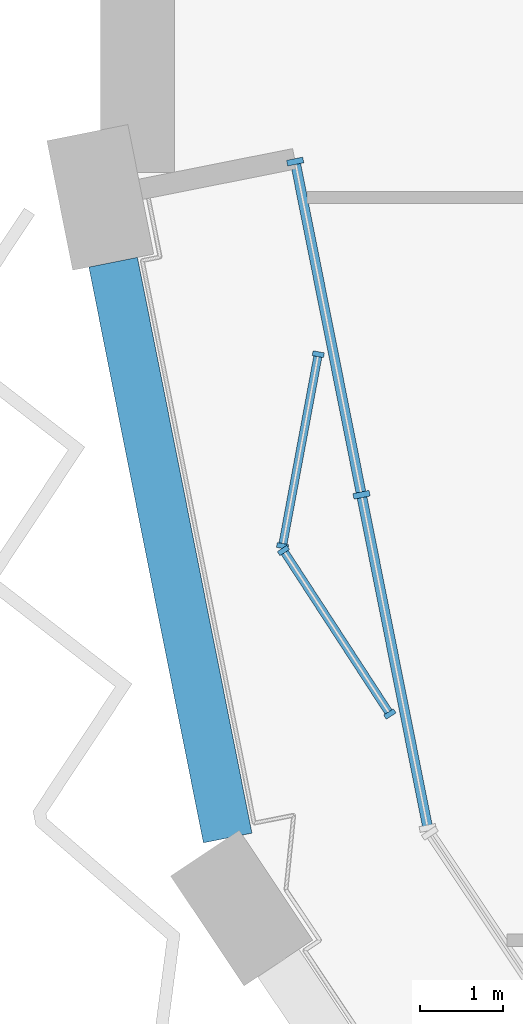
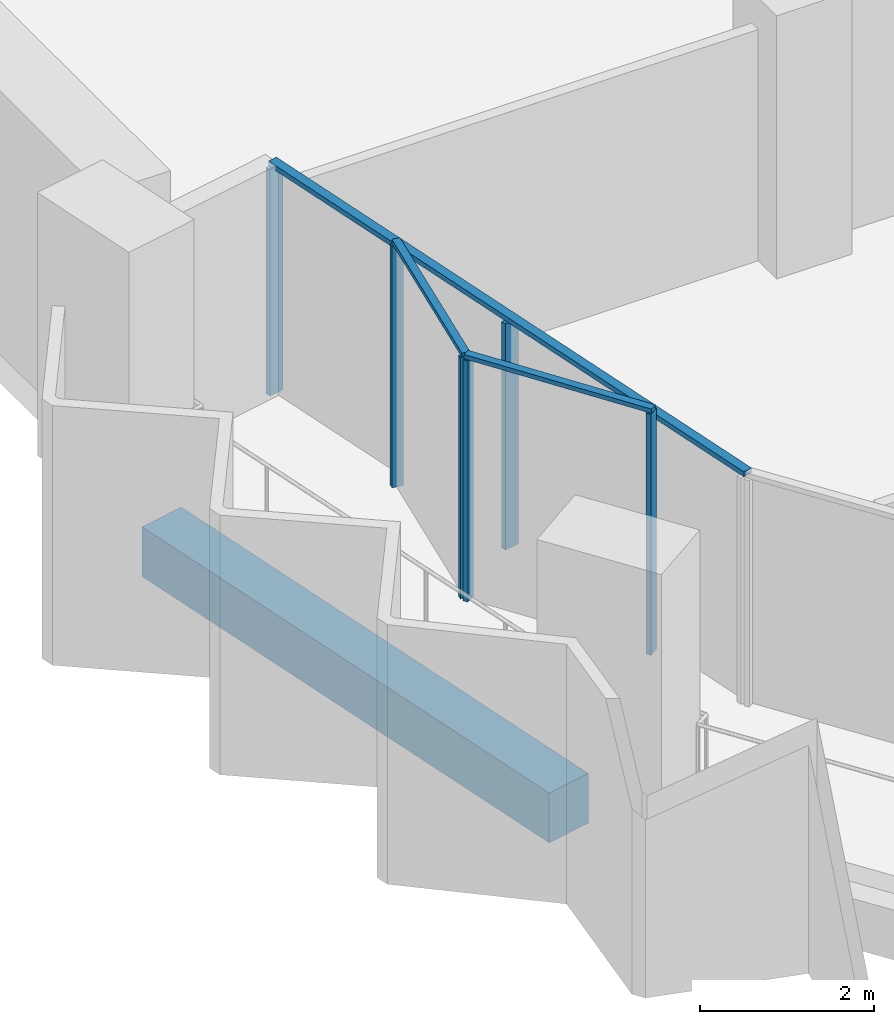
# One storey, part 3 of 17: 9 members, 1 beam, 3 elements without a shape of their own.
"""IFC4 building model written with IfcOpenShell, lengths in metres."""

from ifc_helpers import new_model, si_unit, direction, frame, origin, origin_2d, place, context, subcontext, project, spatial, rectangle, extrude, material, material_profile, profile_set, type_object, element, aggregate, save


model = new_model("IFC4")

# Units and contexts
model_context = context("Model", 3, precision=1e-05, world=origin(), true_north=direction((0.0, 1.0)))
body_context = subcontext(model_context, "Body", "Model", "MODEL_VIEW")
ifc_project = project(units=[si_unit("LENGTHUNIT", "METRE"), si_unit("AREAUNIT", "SQUARE_METRE"), si_unit("VOLUMEUNIT", "CUBIC_METRE"), si_unit("PLANEANGLEUNIT", "RADIAN"), si_unit("MASSUNIT", "GRAM", prefix="KILO")], contexts=[model_context])

# Site, building, storey
site_placement = place(None, origin())
site = spatial("IfcSite", under=ifc_project, at=site_placement, CompositionType="ELEMENT")
building_placement = place(site_placement, origin())
building = spatial("IfcBuilding", under=site, at=building_placement, Name="Hunhe Ridgeline Campus", CompositionType="ELEMENT")
storey_placement = place(building_placement, frame((0.0, 0.0, 272.5)))
storey = spatial("IfcBuildingStorey", under=building, at=storey_placement, Name="L70", CompositionType="ELEMENT", Elevation=272.5)

# Curtain wall, members
ifc_material_1 = material(Name="Aluminium 6063", Category="aluminium")
curtain_wall_type_1 = type_object("IfcCurtainWallType", Name="Curtain wall CW-2", PredefinedType="NOTDEFINED", material=ifc_material_1)
curtain_wall_1_placement = place(storey_placement, origin())
curtain_wall_1 = element("IfcCurtainWall", 1, at=curtain_wall_1_placement, inside=storey, type_object=curtain_wall_type_1, Name="Curtain wall B01a", PredefinedType="NOTDEFINED")
ifc_material_profile_1 = material_profile(ifc_material_1, rectangle(XDim=0.139892578125, YDim=0.06005859375, at=origin_2d()))
ifc_profile_set_1 = profile_set([ifc_material_profile_1], Name="Aluminium 6063")
member_type_1 = type_object("IfcMemberType", Name="CW-2 aluminium mullion", PredefinedType="MULLION", material=ifc_profile_set_1)
member_1_placement = place(storey_placement, frame((2.64111328125, 43.100341796875, 0.0), z_axis=(0.0, 0.0, 1.0), x_axis=(0.983091954213, -0.183112559813, 0.0)))
member_1 = element("IfcMember", 2, at=member_1_placement, type_object=member_type_1, Name="CW-2 mullion 1", PredefinedType="MULLION", context=body_context, shape_type="SweptSolid", body=[
    extrude(rectangle(XDim=0.139892578125, YDim=0.06005859375, at=origin_2d()), origin(), (0.0, 0.0, 1.0), 3.389892578125),
])
member_2_placement = place(storey_placement, frame((2.20849609375, 40.77685546875, 0.0), z_axis=(0.0, 0.0, 1.0), x_axis=(0.983091954213, -0.183112559813, 0.0)))
member_2 = element("IfcMember", 3, at=member_2_placement, type_object=member_type_1, Name="CW-2 mullion 2", PredefinedType="MULLION", context=body_context, shape_type="SweptSolid", body=[
    extrude(rectangle(XDim=0.139892578125, YDim=0.06005859375, at=origin_2d()), origin(), (0.0, 0.0, 1.0), 3.389892578125),
])

curtain_wall_2_placement = place(storey_placement, origin())
curtain_wall_2 = element("IfcCurtainWall", 4, at=curtain_wall_2_placement, inside=storey, type_object=curtain_wall_type_1, Name="Curtain wall B01b", PredefinedType="NOTDEFINED")
member_3_placement = place(storey_placement, frame((2.21923828125, 40.722412109375, 0.0), z_axis=(0.0, 0.0, 1.0), x_axis=(0.838178845176, 0.545395474403, 0.0)))
member_3 = element("IfcMember", 5, at=member_3_placement, type_object=member_type_1, Name="CW-2 mullion 1", PredefinedType="MULLION", context=body_context, shape_type="SweptSolid", body=[
    extrude(rectangle(XDim=0.139892578125, YDim=0.06005859375, at=origin_2d()), origin(), (0.0, 0.0, 1.0), 3.389892578125),
])
member_4_placement = place(storey_placement, frame((3.50830078125, 38.741455078125, 0.0), z_axis=(0.0, 0.0, 1.0), x_axis=(0.838178845176, 0.545395474403, 0.0)))
member_4 = element("IfcMember", 6, at=member_4_placement, type_object=member_type_1, Name="CW-2 mullion 2", PredefinedType="MULLION", context=body_context, shape_type="SweptSolid", body=[
    extrude(rectangle(XDim=0.139892578125, YDim=0.06005859375, at=origin_2d()), origin(), (0.0, 0.0, 1.0), 3.389892578125),
])

# Member
ifc_material_profile_2 = material_profile(ifc_material_1, rectangle(XDim=0.10009765625, YDim=0.06005859375, at=origin_2d()))
ifc_profile_set_2 = profile_set([ifc_material_profile_2], Name="Aluminium 6063")
member_type_2 = type_object("IfcMemberType", Name="CW-2 aluminium transom", PredefinedType="USERDEFINED", material=ifc_profile_set_2)
member_5_placement = place(storey_placement, frame((2.646728515625, 43.1298828125, 3.419921875), z_axis=(-0.183157011524, -0.983083673514, 0.0), x_axis=(0.983083673514, -0.183157011524, 0.0)))
member_5 = element("IfcMember", 7, at=member_5_placement, type_object=member_type_2, Name="CW-2 transom 1", ObjectType="TRANSOM", PredefinedType="USERDEFINED", context=body_context, shape_type="SweptSolid", body=[
    extrude(rectangle(XDim=0.10009765625, YDim=0.06005859375, at=origin_2d()), origin(), (0.0, 0.0, 1.0), 2.42333984375),
])

aggregate(curtain_wall_1, [member_5, member_1, member_2])

member_6_placement = place(storey_placement, frame((2.202880859375, 40.74755859375, 3.419921875), z_axis=(0.54541319982, -0.838167311139, 0.0), x_axis=(0.838167311139, 0.54541319982, 0.0)))
member_6 = element("IfcMember", 8, at=member_6_placement, type_object=member_type_2, Name="CW-2 transom 1", ObjectType="TRANSOM", PredefinedType="USERDEFINED", context=body_context, shape_type="SweptSolid", body=[
    extrude(rectangle(XDim=0.10009765625, YDim=0.06005859375, at=origin_2d()), origin(), (0.0, 0.0, 1.0), 2.42333984375),
])

aggregate(curtain_wall_2, [member_6, member_3, member_4])

# Curtain wall, members
curtain_wall_type_2 = type_object("IfcCurtainWallType", Name="Curtain wall CW-5", PredefinedType="NOTDEFINED", material=ifc_material_1)
curtain_wall_3_placement = place(storey_placement, origin())
curtain_wall_3 = element("IfcCurtainWall", 9, at=curtain_wall_3_placement, inside=storey, type_object=curtain_wall_type_2, Name="Curtain wall 01", PredefinedType="NOTDEFINED")
ifc_material_profile_3 = material_profile(ifc_material_1, rectangle(XDim=0.199951171875, YDim=0.070068359375, at=origin_2d()))
ifc_profile_set_3 = profile_set([ifc_material_profile_3], Name="Aluminium 6063")
member_type_3 = type_object("IfcMemberType", Name="CW-5 aluminium mullion", PredefinedType="MULLION", material=ifc_profile_set_3)
member_7_placement = place(storey_placement, frame((2.361572265625, 45.434326171875, 0.0), z_axis=(0.0, 0.0, 1.0), x_axis=(0.980784280831, 0.195095347137, 0.0)))
member_7 = element("IfcMember", 10, at=member_7_placement, type_object=member_type_3, Name="CW-5 mullion 1", PredefinedType="MULLION", context=body_context, shape_type="SweptSolid", body=[
    extrude(rectangle(XDim=0.199951171875, YDim=0.070068359375, at=origin_2d()), origin(), (0.0, 0.0, 1.0), 3.179931640625),
])
member_8_placement = place(storey_placement, frame((3.16455078125, 41.3974609375, 0.0), z_axis=(0.0, 0.0, 1.0), x_axis=(0.980784280831, 0.195095347137, 0.0)))
member_8 = element("IfcMember", 11, at=member_8_placement, type_object=member_type_3, Name="CW-5 mullion 2", PredefinedType="MULLION", context=body_context, shape_type="SweptSolid", body=[
    extrude(rectangle(XDim=0.199951171875, YDim=0.070068359375, at=origin_2d()), origin(), (0.0, 0.0, 1.0), 3.179931640625),
])
ifc_material_profile_4 = material_profile(ifc_material_1, rectangle(XDim=0.1201171875, YDim=0.070068359375, at=origin_2d()))
ifc_profile_set_4 = profile_set([ifc_material_profile_4], Name="Aluminium 6063")
member_type_4 = type_object("IfcMemberType", Name="CW-5 aluminium transom", PredefinedType="USERDEFINED", material=ifc_profile_set_4)
member_9_placement = place(storey_placement, frame((2.354736328125, 45.46875, 3.215087890625), z_axis=(0.195092405068, -0.980784866056, 0.0), x_axis=(0.980784866056, 0.195092405068, 0.0)))
member_9 = element("IfcMember", 12, at=member_9_placement, type_object=member_type_4, Name="CW-5 transom 1", ObjectType="TRANSOM", PredefinedType="USERDEFINED", context=body_context, shape_type="SweptSolid", body=[
    extrude(rectangle(XDim=0.1201171875, YDim=0.070068359375, at=origin_2d()), origin(), (0.0, 0.0, 1.0), 8.3017578125),
])
aggregate(curtain_wall_3, [member_9, member_7, member_8])

# Beam
ifc_material_2 = material(Name="Concrete C50", Category="concrete")
ifc_material_profile_5 = material_profile(ifc_material_2, rectangle(XDim=0.60009765625, YDim=0.699951171875, at=origin_2d()))
ifc_profile_set_5 = profile_set([ifc_material_profile_5], Name="Concrete C50")
beam_type = type_object("IfcBeamType", Name="RC spandrel beam 600x700 Concrete C50", PredefinedType="SPANDREL", material=ifc_profile_set_5)
beam_placement = place(storey_placement, frame((0.156005859375, 44.21533203125, -0.60009765625), z_axis=(0.195092933717, -0.9807847609, 0.0), x_axis=(0.9807847609, 0.195092933717, 0.0)))
element("IfcBeam", 13, at=beam_placement, inside=storey, type_object=beam_type, Name="Spandrel beam B4-1 L70", PredefinedType="SPANDREL", context=body_context, shape_type="SweptSolid", body=[
    extrude(rectangle(XDim=0.60009765625, YDim=0.699951171875, at=origin_2d()), origin(), (0.0, 0.0, 1.0), 7.113037109375),
])

save(model, "model.ifc")
